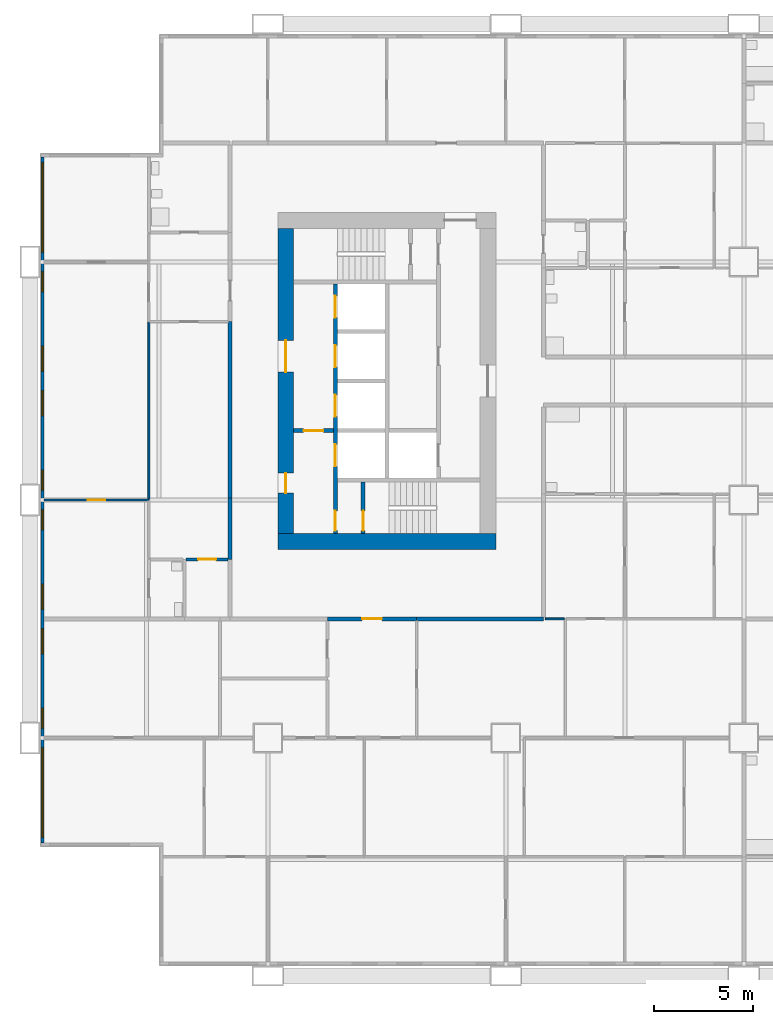
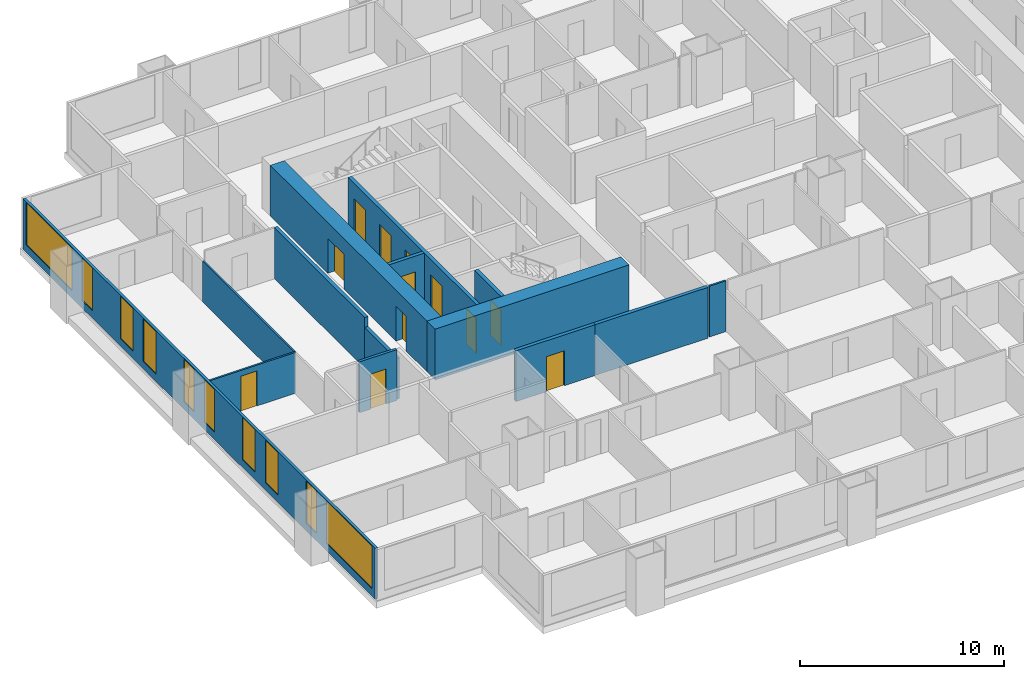
# One storey, part 3 of 14: 14 walls, 12 doors, 10 windows, 22 openings.
"""IFC4 building model written with IfcOpenShell, lengths in metres."""

import ifcopenshell
import ifcopenshell.guid

model = None  # the IFC model being written
_history = None  # IfcOwnerHistory: only IFC2X3 demands one
_inside = {}  # id of a spatial element -> (the spatial element, [elements in it])
_under = {}  # id of a project, library or spatial element -> (it, [spatial elements below it])
_declared = {}  # id of a project -> (the project, [libraries it declares])
_typed = {}  # id of a type object -> (the type object, [elements of that type])
_made_of = {}  # id of a material, layer set ... -> (it, [elements and type objects made of it])


def new_model(schema):
    """Start an empty IFC model of exactly this schema.

    Asked for "IFC4X3", IfcOpenShell would pick the latest addendum, in which some entities
    have other attributes; the version numbers below select the first issue.
    IFC2X3 requires an IfcOwnerHistory on every rooted entity: one is made here for all.
    """
    global model, _history
    if schema == "IFC4X3":
        model = ifcopenshell.file(schema_version=(4, 3, 0, 0))
    else:
        model = ifcopenshell.file(schema=schema)
    _inside.clear()
    _under.clear()
    _declared.clear()
    _typed.clear()
    _made_of.clear()
    _history = None
    if model.schema == "IFC2X3":
        org = make("IfcOrganization", Name="unknown")
        user = make(
            "IfcPersonAndOrganization",
            ThePerson=make("IfcPerson", FamilyName="unknown"),
            TheOrganization=org,
        )
        app = make(
            "IfcApplication",
            ApplicationDeveloper=org,
            Version="unknown",
            ApplicationFullName="unknown",
            ApplicationIdentifier="unknown",
        )
        _history = make(
            "IfcOwnerHistory",
            OwningUser=user,
            OwningApplication=app,
            ChangeAction="ADDED",
            CreationDate=0,
        )
    return model


def make(cls, **values):
    """One entity of the class cls with the attributes given. An attribute that is None is left unset."""
    return model.create_entity(
        cls, **{name: value for name, value in values.items() if value is not None}
    )


def rooted(cls, **values):
    """An entity with a GlobalId (a new one), such as an element, a storey or a relation."""
    return make(cls, GlobalId=ifcopenshell.guid.new(), OwnerHistory=_history, **values)


def si_unit(unit_type, name, prefix=None):
    """IfcSIUnit, for example si_unit("LENGTHUNIT", "METRE", prefix="MILLI")."""
    return make("IfcSIUnit", UnitType=unit_type, Prefix=prefix, Name=name)


def assignment(units):
    """IfcUnitAssignment: the units of a project."""
    return None if units is None else make("IfcUnitAssignment", Units=units)


def point(xyz):
    """IfcCartesianPoint."""
    return None if xyz is None else make("IfcCartesianPoint", Coordinates=xyz)


def direction(xyz):
    """IfcDirection."""
    return None if xyz is None else make("IfcDirection", DirectionRatios=xyz)


def frame(location, z_axis=None, x_axis=None):
    """IfcAxis2Placement3D, a coordinate frame: its origin and axes. An axis left out is left unset."""
    return make(
        "IfcAxis2Placement3D",
        Location=point(location),
        Axis=direction(z_axis),
        RefDirection=direction(x_axis),
    )


def frame_2d(location, x_axis=None):
    """IfcAxis2Placement2D, a coordinate frame in the plane: its origin and x axis."""
    return make(
        "IfcAxis2Placement2D", Location=point(location), RefDirection=direction(x_axis)
    )


def origin():
    """The frame at (0, 0, 0) with its axes left unset."""
    return frame((0.0, 0.0, 0.0))


def place(relative_to, where):
    """IfcLocalPlacement: puts the frame where relative to a parent placement (None: the world)."""
    return make(
        "IfcLocalPlacement", PlacementRelTo=relative_to, RelativePlacement=where
    )


def context(
    kind, dimensions, precision=None, world=None, true_north=None, identifier=None
):
    """IfcGeometricRepresentationContext, for example the 3D "Model" context."""
    return make(
        "IfcGeometricRepresentationContext",
        ContextIdentifier=identifier,
        ContextType=kind,
        CoordinateSpaceDimension=dimensions,
        Precision=precision,
        WorldCoordinateSystem=world,
        TrueNorth=true_north,
    )


def subcontext(parent, identifier, kind, view, scale=None):
    """IfcGeometricRepresentationSubContext, for example "Body" below "Model"."""
    return make(
        "IfcGeometricRepresentationSubContext",
        ContextIdentifier=identifier,
        ContextType=kind,
        ParentContext=parent,
        TargetScale=scale,
        TargetView=view,
    )


def project(units=None, contexts=None):
    """IfcProject with its units and contexts."""
    return rooted(
        "IfcProject",
        Name="project",
        RepresentationContexts=contexts,
        UnitsInContext=assignment(units),
    )


def spatial(cls, under=None, at=None, **own):
    """A site, building, storey or space (cls), placed at a placement, below another one or the project."""
    s = rooted(cls, ObjectPlacement=at, **own)
    if under is not None:
        _under.setdefault(under.id(), (under, []))[1].append(s)
    return s


def profile(cls, at=None, kind="AREA", **sizes):
    """A parametric profile (cls). Its sizes go by their IFC names, for example OverallWidth=200.0."""
    return make(cls, ProfileType=kind, Position=at, **sizes)


def rectangle(**sizes):
    """IfcRectangleProfileDef."""
    return profile("IfcRectangleProfileDef", **sizes)


def extrude(swept, where, along, depth):
    """IfcExtrudedAreaSolid: the profile swept, set in the frame where, extruded along a direction by depth."""
    return make(
        "IfcExtrudedAreaSolid",
        SweptArea=swept,
        Position=where,
        ExtrudedDirection=direction(along),
        Depth=depth,
    )


def shape(context_of_items, identifier, shape_type, items):
    """IfcShapeRepresentation: the items that make up one representation, for example the "Body"."""
    return make(
        "IfcShapeRepresentation",
        ContextOfItems=context_of_items,
        RepresentationIdentifier=identifier,
        RepresentationType=shape_type,
        Items=items,
    )


def material(Name=None, Category=None):
    """IfcMaterial."""
    return make("IfcMaterial", Name=Name, Category=Category)


def layer(
    of_material, thickness, ventilated=None, Name=None, Category=None, Priority=None
):
    """IfcMaterialLayer: one layer of a wall or slab, of a material (None: an air gap)."""
    return make(
        "IfcMaterialLayer",
        Material=of_material,
        LayerThickness=thickness,
        IsVentilated=ventilated,
        Name=Name,
        Category=Category,
        Priority=Priority,
    )


def layer_set(layers, Name=None):
    """IfcMaterialLayerSet."""
    return make("IfcMaterialLayerSet", MaterialLayers=layers, LayerSetName=Name)


def made_of(thing, what):
    """Note that an element or type object is made of a material, layer set ...; save() writes the relation."""
    if what is not None:
        _made_of.setdefault(what.id(), (what, []))[1].append(thing)
    return thing


def type_object(cls, material=None, **own):
    """A type object (cls), such as IfcWallType, which elements share."""
    return made_of(rooted(cls, **own), material)


def element(
    cls,
    number,
    at=None,
    inside=None,
    cuts=None,
    type_object=None,
    material=None,
    context=None,
    identifier="Body",
    shape_type=None,
    held_by="IfcProductDefinitionShape",
    body=None,
    shapes=None,
    **own,
):
    """One element of the class cls, such as IfcWall. Its Tag is "e" and its number.

    at: its placement. inside: the storey or other place that contains it. cuts: it is an
    opening in that element (IfcRelVoidsElement). A single representation is given by context,
    identifier, shape_type and body (its items); several are given by shapes. held_by: the class
    of the entity that holds the representations. save() writes the other relations.
    """
    e = rooted(cls, Tag="e%d" % number, ObjectPlacement=at, **own)
    if body is not None:
        shapes = [shape(context, identifier, shape_type, body)]
    if shapes is not None:
        e.Representation = make(held_by, Representations=shapes)
    if inside is not None:
        _inside.setdefault(inside.id(), (inside, []))[1].append(e)
    if cuts is not None:
        rooted(
            "IfcRelVoidsElement", RelatingBuildingElement=cuts, RelatedOpeningElement=e
        )
    if type_object is not None:
        _typed.setdefault(type_object.id(), (type_object, []))[1].append(e)
    return made_of(e, material)


def fill(opening, filler):
    """IfcRelFillsElement: the door or window that sits in an opening."""
    return rooted(
        "IfcRelFillsElement",
        RelatingOpeningElement=opening,
        RelatedBuildingElement=filler,
    )


def aggregate(whole, parts):
    """IfcRelAggregates: a whole, such as a stair, and the parts it consists of."""
    return rooted("IfcRelAggregates", RelatingObject=whole, RelatedObjects=parts)


def save(model, path):
    """Write the relations noted so far, then the file.

    IfcRelAggregates (storeys below a building ...), IfcRelContainedInSpatialStructure (elements
    in a storey), IfcRelDefinesByType, IfcRelAssociatesMaterial and IfcRelDeclares: one each for
    every whole, place, type object, material and project.
    """
    for whole, parts in _under.values():
        aggregate(whole, parts)
    for where, things in _inside.values():
        rooted(
            "IfcRelContainedInSpatialStructure",
            RelatedElements=things,
            RelatingStructure=where,
        )
    for kind, things in _typed.values():
        rooted("IfcRelDefinesByType", RelatedObjects=things, RelatingType=kind)
    for what, things in _made_of.values():
        rooted("IfcRelAssociatesMaterial", RelatedObjects=things, RelatingMaterial=what)
    for by, libraries in _declared.values():
        rooted("IfcRelDeclares", RelatingContext=by, RelatedDefinitions=libraries)
    model.write(path)


model = new_model("IFC4")

# Units and contexts
model_context = context("Model", 3, precision=1e-05, world=origin(), true_north=direction((0.0, 1.0)))
body_context = subcontext(model_context, "Body", "Model", "MODEL_VIEW")
ifc_project = project(units=[si_unit("LENGTHUNIT", "METRE"), si_unit("AREAUNIT", "SQUARE_METRE"), si_unit("VOLUMEUNIT", "CUBIC_METRE"), si_unit("PLANEANGLEUNIT", "RADIAN"), si_unit("MASSUNIT", "GRAM", prefix="KILO")], contexts=[model_context])

# Site, building, storey
site_placement = place(None, origin())
site = spatial("IfcSite", under=ifc_project, at=site_placement, CompositionType="ELEMENT")
building_placement = place(site_placement, origin())
building = spatial("IfcBuilding", under=site, at=building_placement, Name="Kitamizu Gate Tower and Museum", CompositionType="ELEMENT")
storey_placement = place(building_placement, frame((0.0, 0.0, 85.199951171875)))
storey = spatial("IfcBuildingStorey", under=building, at=storey_placement, Name="L21", CompositionType="ELEMENT", Elevation=85.199951171875)

# Wall
ifc_material_1 = material(Name="Concrete Fc60", Category="concrete")
ifc_layer_1 = layer(ifc_material_1, 0.800048828125)
ifc_layer_set_1 = layer_set([ifc_layer_1], Name="Concrete Fc60")
wall_type_1 = type_object("IfcWallType", Name="Core wall 800", PredefinedType="SHEAR", material=ifc_layer_set_1)
wall_1_placement = place(storey_placement, frame((12.5, 21.89990234375, 0.0), z_axis=(0.0, 0.0, 1.0), x_axis=(1.0, 0.0, 0.0)))
element("IfcWall", 1, at=wall_1_placement, inside=storey, type_object=wall_type_1, Name="Core wall WS", PredefinedType="SHEAR", context=body_context, shape_type="SweptSolid", body=[
    extrude(rectangle(XDim=11.0, YDim=0.800048828125, at=frame_2d((5.5, 0.0))), origin(), (0.0, 0.0, 1.0), 3.050048828125),
])

# Wall, openings, doors
wall_2_placement = place(storey_placement, frame((12.89990234375, 22.300048828125, 0.0), z_axis=(0.0, 0.0, 1.0), x_axis=(0.0, 1.0, 0.0)))
wall_2 = element("IfcWall", 2, at=wall_2_placement, inside=storey, type_object=wall_type_1, Name="Core wall WOUT", PredefinedType="SHEAR", context=body_context, shape_type="SweptSolid", body=[
    extrude(rectangle(XDim=15.39990234375, YDim=0.800048828125, at=frame_2d((7.699951171875, 0.0))), origin(), (0.0, 0.0, 1.0), 3.050048828125),
])
opening_1_placement = place(wall_2_placement, frame((8.14990234375, 0.0, 0.0)))
opening_1 = element("IfcOpeningElement", 3, at=opening_1_placement, cuts=wall_2, Name="Opening L21-081", PredefinedType="OPENING", context=body_context, shape_type="SweptSolid", body=[
    extrude(rectangle(XDim=1.60009765625, YDim=2.10009765625, at=frame_2d((0.800048828125, 1.050048828125))), frame((0.0, 0.41015625, 0.0), z_axis=(0.0, -1.0, 0.0), x_axis=(1.0, 0.0, 0.0)), (0.0, 0.0, 1.0), 0.820068359375),
])
opening_2_placement = place(wall_2_placement, frame((2.050048828125, 0.0, 0.0)))
opening_2 = element("IfcOpeningElement", 4, at=opening_2_placement, cuts=wall_2, Name="Opening L21-082", PredefinedType="OPENING", context=body_context, shape_type="SweptSolid", body=[
    extrude(rectangle(XDim=1.0, YDim=2.10009765625, at=frame_2d((0.5, 1.050048828125))), frame((0.0, 0.41015625, 0.0), z_axis=(0.0, -1.0, 0.0), x_axis=(1.0, 0.0, 0.0)), (0.0, 0.0, 1.0), 0.820068359375),
])
ifc_material_2 = material(Name="Timber door set", Category="wood")
door_type_1 = type_object("IfcDoorType", Name="Entrance door 1600", OperationType="DOUBLE_DOOR_SINGLE_SWING", PredefinedType="DOOR", material=ifc_material_2)
door_1_placement = place(opening_1_placement, origin())
door_1 = element("IfcDoor", 5, at=door_1_placement, inside=storey, type_object=door_type_1, Name="Lobby door L21-081", OperationType="DOUBLE_DOOR_SINGLE_SWING", OverallHeight=2.10009765625, OverallWidth=1.60009765625, PredefinedType="DOOR", context=body_context, shape_type="SweptSolid", body=[
    extrude(rectangle(XDim=1.60009765625, YDim=2.10009765625, at=frame_2d((0.800048828125, 1.050048828125))), frame((0.0, 0.02490234375, 0.0), z_axis=(0.0, -1.0, 0.0), x_axis=(1.0, 0.0, 0.0)), (0.0, 0.0, 1.0), 0.050048828125),
])
fill(opening_1, door_1)
ifc_material_3 = material(Name="Hollow metal door set")
door_type_2 = type_object("IfcDoorType", Name="Fire door 1000", OperationType="NOTDEFINED", PredefinedType="DOOR", material=ifc_material_3)
door_2_placement = place(opening_2_placement, frame((1.0, 0.0, 0.0), x_axis=(-1.0, 0.0, 0.0)))
door_2 = element("IfcDoor", 6, at=door_2_placement, inside=storey, type_object=door_type_2, Name="Fire-fighting lobby door L21-082", OperationType="SINGLE_SWING_RIGHT", OverallHeight=2.10009765625, OverallWidth=1.0, PredefinedType="DOOR", context=body_context, shape_type="SweptSolid", body=[
    extrude(rectangle(XDim=1.0, YDim=2.10009765625, at=frame_2d((0.5, 1.050048828125))), frame((0.0, 0.02490234375, 0.0), z_axis=(0.0, -1.0, 0.0), x_axis=(1.0, 0.0, 0.0)), (0.0, 0.0, 1.0), 0.050048828125),
])
fill(opening_2, door_2)

# Wall
ifc_material_4 = material(Name="Gypsum board on galvanised stud")
ifc_layer_2 = layer(ifc_material_4, 0.10009765625)
ifc_layer_set_2 = layer_set([ifc_layer_2], Name="Gypsum board on galvanised stud")
wall_type_2 = type_object("IfcWallType", Name="Partition 100 NOT RATED", PredefinedType="PARTITIONING", material=ifc_layer_set_2)
wall_3_placement = place(storey_placement, frame((26.949951171875, 18.0, 0.0), z_axis=(0.0, 0.0, 1.0), x_axis=(-1.0, 0.0, 0.0)))
element("IfcWall", 7, at=wall_3_placement, inside=storey, type_object=wall_type_2, Name="Partition L21-041", PredefinedType="PARTITIONING", context=body_context, shape_type="SweptSolid", body=[
    extrude(rectangle(XDim=0.949951171875, YDim=0.10009765625, at=frame_2d((0.47509765625, 0.0))), origin(), (0.0, 0.0, 1.0), 3.050048828125),
])

# Wall, opening, door
wall_4_placement = place(storey_placement, frame((6.0, 24.0, 0.0), z_axis=(0.0, 0.0, 1.0), x_axis=(-1.0, 0.0, 0.0)))
wall_4 = element("IfcWall", 8, at=wall_4_placement, inside=storey, type_object=wall_type_2, Name="Partition L21-063", PredefinedType="PARTITIONING", context=body_context, shape_type="SweptSolid", body=[
    extrude(rectangle(XDim=5.280029296875, YDim=0.10009765625, at=frame_2d((2.64013671875, 0.0))), origin(), (0.0, 0.0, 1.0), 2.449951171875),
])
opening_3_placement = place(wall_4_placement, frame((2.18994140625, 0.0, 0.0)))
opening_3 = element("IfcOpeningElement", 9, at=opening_3_placement, cuts=wall_4, Name="Opening L21-024", PredefinedType="OPENING", context=body_context, shape_type="SweptSolid", body=[
    extrude(rectangle(XDim=0.89990234375, YDim=2.10009765625, at=frame_2d((0.449951171875, 1.050048828125))), frame((0.0, 0.06005859375, 0.0), z_axis=(0.0, -1.0, 0.0), x_axis=(1.0, 0.0, 0.0)), (0.0, 0.0, 1.0), 0.1201171875),
])
ifc_material_5 = material(Name="Timber door set", Category="wood")
door_type_3 = type_object("IfcDoorType", Name="Room door 900", OperationType="NOTDEFINED", PredefinedType="DOOR", material=ifc_material_5)
door_3_placement = place(opening_3_placement, origin())
door_3 = element("IfcDoor", 10, at=door_3_placement, inside=storey, type_object=door_type_3, Name="Door L21-024", OperationType="SINGLE_SWING_RIGHT", OverallHeight=2.10009765625, OverallWidth=0.89990234375, PredefinedType="DOOR", context=body_context, shape_type="SweptSolid", body=[
    extrude(rectangle(XDim=0.89990234375, YDim=2.10009765625, at=frame_2d((0.449951171875, 1.050048828125))), frame((0.0, 0.02490234375, 0.0), z_axis=(0.0, -1.0, 0.0), x_axis=(1.0, 0.0, 0.0)), (0.0, 0.0, 1.0), 0.050048828125),
])
fill(opening_3, door_3)

# Wall
wall_5_placement = place(storey_placement, frame((6.0, 24.050048828125, 0.0), z_axis=(0.0, 0.0, 1.0), x_axis=(0.0, 1.0, 0.0)))
element("IfcWall", 11, at=wall_5_placement, inside=storey, type_object=wall_type_2, Name="Partition L21-067", PredefinedType="PARTITIONING", context=body_context, shape_type="SweptSolid", body=[
    extrude(rectangle(XDim=8.949951171875, YDim=0.10009765625, at=frame_2d((4.47509765625, 0.0))), origin(), (0.0, 0.0, 1.0), 2.449951171875),
])

# Wall, opening, door
ifc_material_6 = material(Name="Gypsum board on galvanised stud")
ifc_layer_3 = layer(ifc_material_6, 0.14990234375)
ifc_layer_set_3 = layer_set([ifc_layer_3], Name="Gypsum board on galvanised stud")
wall_type_3 = type_object("IfcWallType", Name="Partition 150", PredefinedType="PARTITIONING", material=ifc_layer_set_3)
wall_6_placement = place(storey_placement, frame((10.0, 21.0, 0.0), z_axis=(0.0, 0.0, 1.0), x_axis=(-1.0, 0.0, 0.0)))
wall_6 = element("IfcWall", 12, at=wall_6_placement, inside=storey, type_object=wall_type_3, Name="Partition L21-073", PredefinedType="PARTITIONING", context=body_context, shape_type="SweptSolid", body=[
    extrude(rectangle(XDim=2.125, YDim=0.14990234375, at=frame_2d((1.0625, 0.0))), origin(), (0.0, 0.0, 1.0), 3.050048828125),
])
opening_4_placement = place(wall_6_placement, frame((0.612548828125, 0.0, 0.0)))
opening_4 = element("IfcOpeningElement", 13, at=opening_4_placement, cuts=wall_6, Name="Opening L21-028", PredefinedType="OPENING", context=body_context, shape_type="SweptSolid", body=[
    extrude(rectangle(XDim=0.89990234375, YDim=2.10009765625, at=frame_2d((0.449951171875, 1.050048828125))), frame((0.0, 0.0849609375, 0.0), z_axis=(0.0, -1.0, 0.0), x_axis=(1.0, 0.0, 0.0)), (0.0, 0.0, 1.0), 0.169921875),
])
ifc_material_7 = material(Name="Timber door set", Category="wood")
door_type_4 = type_object("IfcDoorType", Name="Bathroom door 900", OperationType="NOTDEFINED", PredefinedType="DOOR", material=ifc_material_7)
door_4_placement = place(opening_4_placement, origin())
door_4 = element("IfcDoor", 14, at=door_4_placement, inside=storey, type_object=door_type_4, Name="Bathroom door L21-028", OperationType="SINGLE_SWING_RIGHT", OverallHeight=2.10009765625, OverallWidth=0.89990234375, PredefinedType="DOOR", context=body_context, shape_type="SweptSolid", body=[
    extrude(rectangle(XDim=0.89990234375, YDim=2.10009765625, at=frame_2d((0.449951171875, 1.050048828125))), frame((0.0, 0.02490234375, 0.0), z_axis=(0.0, -1.0, 0.0), x_axis=(1.0, 0.0, 0.0)), (0.0, 0.0, 1.0), 0.050048828125),
])
fill(opening_4, door_4)

ifc_material_8 = material(Name="Gypsum board on galvanised stud")
ifc_layer_4 = layer(ifc_material_8, 0.199951171875)
ifc_layer_set_4 = layer_set([ifc_layer_4], Name="Gypsum board on galvanised stud")
wall_type_4 = type_object("IfcWallType", Name="Partition 200", PredefinedType="PARTITIONING", material=ifc_layer_set_4)
wall_7_placement = place(storey_placement, frame((19.5, 18.0, 0.0), z_axis=(0.0, 0.0, 1.0), x_axis=(-1.0, 0.0, 0.0)))
wall_7 = element("IfcWall", 15, at=wall_7_placement, inside=storey, type_object=wall_type_4, Name="Partition L21-039", PredefinedType="PARTITIONING", context=body_context, shape_type="SweptSolid", body=[
    extrude(rectangle(XDim=4.5, YDim=0.199951171875, at=frame_2d((2.25, 0.0))), origin(), (0.0, 0.0, 1.0), 3.050048828125),
])
opening_5_placement = place(wall_7_placement, frame((1.75, 0.0, 0.0)))
opening_5 = element("IfcOpeningElement", 16, at=opening_5_placement, cuts=wall_7, Name="Opening L21-001", PredefinedType="OPENING", context=body_context, shape_type="SweptSolid", body=[
    extrude(rectangle(XDim=1.0, YDim=2.10009765625, at=frame_2d((0.5, 1.050048828125))), frame((0.0, 0.10986328125, 0.0), z_axis=(0.0, -1.0, 0.0), x_axis=(1.0, 0.0, 0.0)), (0.0, 0.0, 1.0), 0.219970703125),
])
ifc_material_9 = material(Name="Timber door set", Category="wood")
door_type_5 = type_object("IfcDoorType", Name="Flat entrance door 1000", OperationType="NOTDEFINED", PredefinedType="DOOR", material=ifc_material_9)
door_5_placement = place(opening_5_placement, origin())
door_5 = element("IfcDoor", 17, at=door_5_placement, inside=storey, type_object=door_type_5, Name="Flat entrance door L21-001", OperationType="SINGLE_SWING_RIGHT", OverallHeight=2.10009765625, OverallWidth=1.0, PredefinedType="DOOR", context=body_context, shape_type="SweptSolid", body=[
    extrude(rectangle(XDim=1.0, YDim=2.10009765625, at=frame_2d((0.5, 1.050048828125))), frame((0.0, 0.02490234375, 0.0), z_axis=(0.0, -1.0, 0.0), x_axis=(1.0, 0.0, 0.0)), (0.0, 0.0, 1.0), 0.050048828125),
])
fill(opening_5, door_5)

# Walls
wall_8_placement = place(storey_placement, frame((25.89990234375, 18.0, 0.0), z_axis=(0.0, 0.0, 1.0), x_axis=(-1.0, 0.0, 0.0)))
element("IfcWall", 18, at=wall_8_placement, inside=storey, type_object=wall_type_4, Name="Partition L21-042", PredefinedType="PARTITIONING", context=body_context, shape_type="SweptSolid", body=[
    extrude(rectangle(XDim=6.39990234375, YDim=0.199951171875, at=frame_2d((3.199951171875, 0.0))), origin(), (0.0, 0.0, 1.0), 3.050048828125),
])
wall_9_placement = place(storey_placement, frame((10.10009765625, 21.0, 0.0), z_axis=(0.0, 0.0, 1.0), x_axis=(0.0, 1.0, 0.0)))
element("IfcWall", 19, at=wall_9_placement, inside=storey, type_object=wall_type_4, Name="Partition L21-076", PredefinedType="PARTITIONING", context=body_context, shape_type="SweptSolid", body=[
    extrude(rectangle(XDim=3.10009765625, YDim=0.199951171875, at=frame_2d((1.550048828125, 0.0))), origin(), (0.0, 0.0, 1.0), 2.449951171875),
])
wall_10_placement = place(storey_placement, frame((10.10009765625, 24.10009765625, 0.0), z_axis=(0.0, 0.0, 1.0), x_axis=(0.0, 1.0, 0.0)))
element("IfcWall", 20, at=wall_10_placement, inside=storey, type_object=wall_type_4, Name="Partition L21-077", PredefinedType="PARTITIONING", context=body_context, shape_type="SweptSolid", body=[
    extrude(rectangle(XDim=8.89990234375, YDim=0.199951171875, at=frame_2d((4.449951171875, 0.0))), origin(), (0.0, 0.0, 1.0), 3.050048828125),
])

# Wall, openings, doors
ifc_material_10 = material(Name="Concrete Fc42", Category="concrete")
ifc_layer_5 = layer(ifc_material_10, 0.199951171875)
ifc_layer_set_5 = layer_set([ifc_layer_5], Name="Concrete Fc42")
wall_type_5 = type_object("IfcWallType", Name="Shaft wall 200", PredefinedType="SOLIDWALL", material=ifc_layer_set_5)
wall_11_placement = place(storey_placement, frame((15.39990234375, 22.300048828125, 0.0), z_axis=(0.0, 0.0, 1.0), x_axis=(0.0, 1.0, 0.0)))
wall_11 = element("IfcWall", 21, at=wall_11_placement, inside=storey, type_object=wall_type_5, Name="Shaft wall WWEST", PredefinedType="SOLIDWALL", context=body_context, shape_type="SweptSolid", body=[
    extrude(rectangle(XDim=12.599853515625, YDim=0.199951171875, at=frame_2d((6.2998046875, 0.0))), origin(), (0.0, 0.0, 1.0), 3.050048828125),
])
opening_6_placement = place(wall_11_placement, frame((3.39990234375, 0.0, 0.0)))
opening_6 = element("IfcOpeningElement", 22, at=opening_6_placement, cuts=wall_11, Name="Opening LD", PredefinedType="OPENING", context=body_context, shape_type="SweptSolid", body=[
    extrude(rectangle(XDim=1.10009765625, YDim=2.10009765625, at=frame_2d((0.550048828125, 1.050048828125))), frame((0.0, 0.10986328125, 0.0), z_axis=(0.0, -1.0, 0.0), x_axis=(1.0, 0.0, 0.0)), (0.0, 0.0, 1.0), 0.219970703125),
])
opening_7_placement = place(wall_11_placement, frame((5.89990234375, 0.0, 0.0)))
opening_7 = element("IfcOpeningElement", 23, at=opening_7_placement, cuts=wall_11, Name="Opening LD", PredefinedType="OPENING", context=body_context, shape_type="SweptSolid", body=[
    extrude(rectangle(XDim=1.10009765625, YDim=2.10009765625, at=frame_2d((0.550048828125, 1.050048828125))), frame((0.0, 0.10986328125, 0.0), z_axis=(0.0, -1.0, 0.0), x_axis=(1.0, 0.0, 0.0)), (0.0, 0.0, 1.0), 0.219970703125),
])
opening_8_placement = place(wall_11_placement, frame((8.39990234375, 0.0, 0.0)))
opening_8 = element("IfcOpeningElement", 24, at=opening_8_placement, cuts=wall_11, Name="Opening LD", PredefinedType="OPENING", context=body_context, shape_type="SweptSolid", body=[
    extrude(rectangle(XDim=1.10009765625, YDim=2.10009765625, at=frame_2d((0.550048828125, 1.050048828125))), frame((0.0, 0.10986328125, 0.0), z_axis=(0.0, -1.0, 0.0), x_axis=(1.0, 0.0, 0.0)), (0.0, 0.0, 1.0), 0.219970703125),
])
opening_9_placement = place(wall_11_placement, frame((10.89990234375, 0.0, 0.0)))
opening_9 = element("IfcOpeningElement", 25, at=opening_9_placement, cuts=wall_11, Name="Opening LD", PredefinedType="OPENING", context=body_context, shape_type="SweptSolid", body=[
    extrude(rectangle(XDim=1.10009765625, YDim=2.10009765625, at=frame_2d((0.550048828125, 1.050048828125))), frame((0.0, 0.10986328125, 0.0), z_axis=(0.0, -1.0, 0.0), x_axis=(1.0, 0.0, 0.0)), (0.0, 0.0, 1.0), 0.219970703125),
])
opening_10_placement = place(wall_11_placement, frame((0.14990234375, 0.0, 0.0)))
opening_10 = element("IfcOpeningElement", 26, at=opening_10_placement, cuts=wall_11, Name="Opening L21-077", PredefinedType="OPENING", context=body_context, shape_type="SweptSolid", body=[
    extrude(rectangle(XDim=1.0, YDim=2.10009765625, at=frame_2d((0.5, 1.050048828125))), frame((0.0, 0.10986328125, 0.0), z_axis=(0.0, -1.0, 0.0), x_axis=(1.0, 0.0, 0.0)), (0.0, 0.0, 1.0), 0.219970703125),
])
door_6_placement = place(opening_10_placement, frame((1.0, 0.0, 0.0), x_axis=(-1.0, 0.0, 0.0)))
door_6 = element("IfcDoor", 27, at=door_6_placement, inside=storey, type_object=door_type_2, Name="Stair lobby door L21-077", OperationType="SINGLE_SWING_LEFT", OverallHeight=2.10009765625, OverallWidth=1.0, PredefinedType="DOOR", context=body_context, shape_type="SweptSolid", body=[
    extrude(rectangle(XDim=1.0, YDim=2.10009765625, at=frame_2d((0.5, 1.050048828125))), frame((0.0, 0.02490234375, 0.0), z_axis=(0.0, -1.0, 0.0), x_axis=(1.0, 0.0, 0.0)), (0.0, 0.0, 1.0), 0.050048828125),
])
fill(opening_10, door_6)
ifc_material_11 = material(Name="Hollow metal door set")
door_type_6 = type_object("IfcDoorType", Name="Landing door 1100", OperationType="SLIDING_TO_LEFT", PredefinedType="DOOR", material=ifc_material_11)
door_7_placement = place(opening_6_placement, origin())
door_7 = element("IfcDoor", 28, at=door_7_placement, inside=storey, type_object=door_type_6, Name="Landing door WFF1", OperationType="SLIDING_TO_LEFT", OverallHeight=2.10009765625, OverallWidth=1.10009765625, PredefinedType="DOOR", context=body_context, shape_type="SweptSolid", body=[
    extrude(rectangle(XDim=1.10009765625, YDim=2.10009765625, at=frame_2d((0.550048828125, 1.050048828125))), frame((0.0, 0.02490234375, 0.0), z_axis=(0.0, -1.0, 0.0), x_axis=(1.0, 0.0, 0.0)), (0.0, 0.0, 1.0), 0.050048828125),
])
fill(opening_6, door_7)
door_8_placement = place(opening_7_placement, origin())
door_8 = element("IfcDoor", 29, at=door_8_placement, inside=storey, type_object=door_type_6, Name="Landing door WL1", OperationType="SLIDING_TO_LEFT", OverallHeight=2.10009765625, OverallWidth=1.10009765625, PredefinedType="DOOR", context=body_context, shape_type="SweptSolid", body=[
    extrude(rectangle(XDim=1.10009765625, YDim=2.10009765625, at=frame_2d((0.550048828125, 1.050048828125))), frame((0.0, 0.02490234375, 0.0), z_axis=(0.0, -1.0, 0.0), x_axis=(1.0, 0.0, 0.0)), (0.0, 0.0, 1.0), 0.050048828125),
])
fill(opening_7, door_8)
door_9_placement = place(opening_8_placement, origin())
door_9 = element("IfcDoor", 30, at=door_9_placement, inside=storey, type_object=door_type_6, Name="Landing door WL2", OperationType="SLIDING_TO_LEFT", OverallHeight=2.10009765625, OverallWidth=1.10009765625, PredefinedType="DOOR", context=body_context, shape_type="SweptSolid", body=[
    extrude(rectangle(XDim=1.10009765625, YDim=2.10009765625, at=frame_2d((0.550048828125, 1.050048828125))), frame((0.0, 0.02490234375, 0.0), z_axis=(0.0, -1.0, 0.0), x_axis=(1.0, 0.0, 0.0)), (0.0, 0.0, 1.0), 0.050048828125),
])
fill(opening_8, door_9)
door_10_placement = place(opening_9_placement, origin())
door_10 = element("IfcDoor", 31, at=door_10_placement, inside=storey, type_object=door_type_6, Name="Landing door WL3", OperationType="SLIDING_TO_LEFT", OverallHeight=2.10009765625, OverallWidth=1.10009765625, PredefinedType="DOOR", context=body_context, shape_type="SweptSolid", body=[
    extrude(rectangle(XDim=1.10009765625, YDim=2.10009765625, at=frame_2d((0.550048828125, 1.050048828125))), frame((0.0, 0.02490234375, 0.0), z_axis=(0.0, -1.0, 0.0), x_axis=(1.0, 0.0, 0.0)), (0.0, 0.0, 1.0), 0.050048828125),
])
fill(opening_9, door_10)

# Wall, opening, door
wall_12_placement = place(storey_placement, frame((13.300048828125, 27.5, 0.0), z_axis=(0.0, 0.0, 1.0), x_axis=(1.0, 0.0, 0.0)))
wall_12 = element("IfcWall", 32, at=wall_12_placement, inside=storey, type_object=wall_type_5, Name="Shaft wall WFFN", PredefinedType="SOLIDWALL", context=body_context, shape_type="SweptSolid", body=[
    extrude(rectangle(XDim=2.0, YDim=0.199951171875, at=frame_2d((1.0, 0.0))), origin(), (0.0, 0.0, 1.0), 3.050048828125),
])
opening_11_placement = place(wall_12_placement, frame((0.5, 0.0, 0.0)))
opening_11 = element("IfcOpeningElement", 33, at=opening_11_placement, cuts=wall_12, Name="Opening L21-080", PredefinedType="OPENING", context=body_context, shape_type="SweptSolid", body=[
    extrude(rectangle(XDim=1.0, YDim=2.10009765625, at=frame_2d((0.5, 1.050048828125))), frame((0.0, 0.10986328125, 0.0), z_axis=(0.0, -1.0, 0.0), x_axis=(1.0, 0.0, 0.0)), (0.0, 0.0, 1.0), 0.219970703125),
])
door_11_placement = place(opening_11_placement, frame((1.0, 0.0, 0.0), x_axis=(-1.0, 0.0, 0.0)))
door_11 = element("IfcDoor", 34, at=door_11_placement, inside=storey, type_object=door_type_2, Name="Fire-fighting lobby door L21-080", OperationType="SINGLE_SWING_LEFT", OverallHeight=2.10009765625, OverallWidth=1.0, PredefinedType="DOOR", context=body_context, shape_type="SweptSolid", body=[
    extrude(rectangle(XDim=1.0, YDim=2.10009765625, at=frame_2d((0.5, 1.050048828125))), frame((0.0, 0.02490234375, 0.0), z_axis=(0.0, -1.0, 0.0), x_axis=(1.0, 0.0, 0.0)), (0.0, 0.0, 1.0), 0.050048828125),
])
fill(opening_11, door_11)

wall_13_placement = place(storey_placement, frame((16.800048828125, 22.300048828125, 0.0), z_axis=(0.0, 0.0, 1.0), x_axis=(0.0, 1.0, 0.0)))
wall_13 = element("IfcWall", 35, at=wall_13_placement, inside=storey, type_object=wall_type_5, Name="Shaft wall WSZ", PredefinedType="SOLIDWALL", context=body_context, shape_type="SweptSolid", body=[
    extrude(rectangle(XDim=2.599853515625, YDim=0.199951171875, at=frame_2d((1.2998046875, 0.0))), origin(), (0.0, 0.0, 1.0), 3.050048828125),
])
opening_12_placement = place(wall_13_placement, frame((0.14990234375, 0.0, 0.0)))
opening_12 = element("IfcOpeningElement", 36, at=opening_12_placement, cuts=wall_13, Name="Opening L21-076", PredefinedType="OPENING", context=body_context, shape_type="SweptSolid", body=[
    extrude(rectangle(XDim=1.0, YDim=2.10009765625, at=frame_2d((0.5, 1.050048828125))), frame((0.0, 0.10986328125, 0.0), z_axis=(0.0, -1.0, 0.0), x_axis=(1.0, 0.0, 0.0)), (0.0, 0.0, 1.0), 0.219970703125),
])
door_12_placement = place(opening_12_placement, frame((1.0, 0.0, 0.0), x_axis=(-1.0, 0.0, 0.0)))
door_12 = element("IfcDoor", 37, at=door_12_placement, inside=storey, type_object=door_type_2, Name="Stair door L21-076", OperationType="SINGLE_SWING_LEFT", OverallHeight=2.10009765625, OverallWidth=1.0, PredefinedType="DOOR", context=body_context, shape_type="SweptSolid", body=[
    extrude(rectangle(XDim=1.0, YDim=2.10009765625, at=frame_2d((0.5, 1.050048828125))), frame((0.0, 0.02490234375, 0.0), z_axis=(0.0, -1.0, 0.0), x_axis=(1.0, 0.0, 0.0)), (0.0, 0.0, 1.0), 0.050048828125),
])
fill(opening_12, door_12)

# Wall, openings, windows
ifc_material_12 = material(Name="Bronze anodised aluminium frame with insulated spandrel and tinted glass", Category="aluminium")
ifc_layer_6 = layer(ifc_material_12, 0.14990234375)
ifc_layer_set_6 = layer_set([ifc_layer_6], Name="Bronze anodised aluminium frame with insulated spandrel and tinted glass")
wall_type_6 = type_object("IfcWallType", Name="WINDOW WALL 150 BRONZE FRAME EI 30", PredefinedType="ELEMENTEDWALL", material=ifc_layer_set_6)
wall_14_placement = place(storey_placement, frame((0.635009765625, 6.7099609375, 0.0), z_axis=(0.0, 0.0, 1.0), x_axis=(0.0, 1.0, 0.0)))
wall_14 = element("IfcWall", 38, at=wall_14_placement, inside=storey, type_object=wall_type_6, Name="Window wall west L21", PredefinedType="ELEMENTEDWALL", context=body_context, shape_type="SweptSolid", body=[
    extrude(rectangle(XDim=34.580078125, YDim=0.14990234375, at=frame_2d((17.2900390625, 0.0))), origin(), (0.0, 0.0, 1.0), 3.050048828125),
])
opening_13_placement = place(wall_14_placement, frame((0.2900390625, 0.0, 0.449951171875)))
opening_13 = element("IfcOpeningElement", 39, at=opening_13_placement, cuts=wall_14, Name="Opening W15", PredefinedType="OPENING", context=body_context, shape_type="SweptSolid", body=[
    extrude(rectangle(XDim=4.5, YDim=2.550048828125, at=frame_2d((2.25, 1.27490234375))), frame((0.0, 0.0849609375, 0.0), z_axis=(0.0, -1.0, 0.0), x_axis=(1.0, 0.0, 0.0)), (0.0, 0.0, 1.0), 0.169921875),
])
opening_14_placement = place(wall_14_placement, frame((5.7900390625, 0.0, 0.449951171875)))
opening_14 = element("IfcOpeningElement", 40, at=opening_14_placement, cuts=wall_14, Name="Opening W26", PredefinedType="OPENING", context=body_context, shape_type="SweptSolid", body=[
    extrude(rectangle(XDim=1.0, YDim=2.550048828125, at=frame_2d((0.5, 1.27490234375))), frame((0.0, 0.0849609375, 0.0), z_axis=(0.0, -1.0, 0.0), x_axis=(1.0, 0.0, 0.0)), (0.0, 0.0, 1.0), 0.169921875),
])
opening_15_placement = place(wall_14_placement, frame((9.5400390625, 0.0, 0.449951171875)))
opening_15 = element("IfcOpeningElement", 41, at=opening_15_placement, cuts=wall_14, Name="Opening W27", PredefinedType="OPENING", context=body_context, shape_type="SweptSolid", body=[
    extrude(rectangle(XDim=1.25, YDim=2.550048828125, at=frame_2d((0.625, 1.27490234375))), frame((0.0, 0.0849609375, 0.0), z_axis=(0.0, -1.0, 0.0), x_axis=(1.0, 0.0, 0.0)), (0.0, 0.0, 1.0), 0.169921875),
])
opening_16_placement = place(wall_14_placement, frame((11.7900390625, 0.0, 0.449951171875)))
opening_16 = element("IfcOpeningElement", 42, at=opening_16_placement, cuts=wall_14, Name="Opening W27", PredefinedType="OPENING", context=body_context, shape_type="SweptSolid", body=[
    extrude(rectangle(XDim=1.25, YDim=2.550048828125, at=frame_2d((0.625, 1.27490234375))), frame((0.0, 0.0849609375, 0.0), z_axis=(0.0, -1.0, 0.0), x_axis=(1.0, 0.0, 0.0)), (0.0, 0.0, 1.0), 0.169921875),
])
opening_17_placement = place(wall_14_placement, frame((15.7900390625, 0.0, 0.449951171875)))
opening_17 = element("IfcOpeningElement", 43, at=opening_17_placement, cuts=wall_14, Name="Opening W26", PredefinedType="OPENING", context=body_context, shape_type="SweptSolid", body=[
    extrude(rectangle(XDim=1.0, YDim=2.550048828125, at=frame_2d((0.5, 1.27490234375))), frame((0.0, 0.0849609375, 0.0), z_axis=(0.0, -1.0, 0.0), x_axis=(1.0, 0.0, 0.0)), (0.0, 0.0, 1.0), 0.169921875),
])
opening_18_placement = place(wall_14_placement, frame((17.7900390625, 0.0, 0.449951171875)))
opening_18 = element("IfcOpeningElement", 44, at=opening_18_placement, cuts=wall_14, Name="Opening W26", PredefinedType="OPENING", context=body_context, shape_type="SweptSolid", body=[
    extrude(rectangle(XDim=1.0, YDim=2.550048828125, at=frame_2d((0.5, 1.27490234375))), frame((0.0, 0.0849609375, 0.0), z_axis=(0.0, -1.0, 0.0), x_axis=(1.0, 0.0, 0.0)), (0.0, 0.0, 1.0), 0.169921875),
])
opening_19_placement = place(wall_14_placement, frame((21.5400390625, 0.0, 0.449951171875)))
opening_19 = element("IfcOpeningElement", 45, at=opening_19_placement, cuts=wall_14, Name="Opening W27", PredefinedType="OPENING", context=body_context, shape_type="SweptSolid", body=[
    extrude(rectangle(XDim=1.25, YDim=2.550048828125, at=frame_2d((0.625, 1.27490234375))), frame((0.0, 0.0849609375, 0.0), z_axis=(0.0, -1.0, 0.0), x_axis=(1.0, 0.0, 0.0)), (0.0, 0.0, 1.0), 0.169921875),
])
opening_20_placement = place(wall_14_placement, frame((23.7900390625, 0.0, 0.449951171875)))
opening_20 = element("IfcOpeningElement", 46, at=opening_20_placement, cuts=wall_14, Name="Opening W27", PredefinedType="OPENING", context=body_context, shape_type="SweptSolid", body=[
    extrude(rectangle(XDim=1.25, YDim=2.550048828125, at=frame_2d((0.625, 1.27490234375))), frame((0.0, 0.0849609375, 0.0), z_axis=(0.0, -1.0, 0.0), x_axis=(1.0, 0.0, 0.0)), (0.0, 0.0, 1.0), 0.169921875),
])
opening_21_placement = place(wall_14_placement, frame((27.7900390625, 0.0, 0.449951171875)))
opening_21 = element("IfcOpeningElement", 47, at=opening_21_placement, cuts=wall_14, Name="Opening W26", PredefinedType="OPENING", context=body_context, shape_type="SweptSolid", body=[
    extrude(rectangle(XDim=1.0, YDim=2.550048828125, at=frame_2d((0.5, 1.27490234375))), frame((0.0, 0.0849609375, 0.0), z_axis=(0.0, -1.0, 0.0), x_axis=(1.0, 0.0, 0.0)), (0.0, 0.0, 1.0), 0.169921875),
])
opening_22_placement = place(wall_14_placement, frame((29.7900390625, 0.0, 0.449951171875)))
opening_22 = element("IfcOpeningElement", 48, at=opening_22_placement, cuts=wall_14, Name="Opening W15", PredefinedType="OPENING", context=body_context, shape_type="SweptSolid", body=[
    extrude(rectangle(XDim=4.5, YDim=2.550048828125, at=frame_2d((2.25, 1.27490234375))), frame((0.0, 0.0849609375, 0.0), z_axis=(0.0, -1.0, 0.0), x_axis=(1.0, 0.0, 0.0)), (0.0, 0.0, 1.0), 0.169921875),
])
ifc_material_13 = material(Name="Bronze anodised aluminium frame, tinted triple glazing", Category="aluminium")
window_type_1 = type_object("IfcWindowType", Name="WINDOW 1000 x 2550 SILL 450", PartitioningType="SINGLE_PANEL", PredefinedType="WINDOW", material=ifc_material_13)
window_1_placement = place(opening_14_placement, origin())
window_1 = element("IfcWindow", 49, at=window_1_placement, inside=storey, type_object=window_type_1, Name="Window W26 L21", OverallHeight=2.550048828125, OverallWidth=1.0, PartitioningType="SINGLE_PANEL", PredefinedType="WINDOW", context=body_context, shape_type="SweptSolid", body=[
    extrude(rectangle(XDim=1.0, YDim=2.550048828125, at=frame_2d((0.5, 1.27490234375))), frame((0.0, 0.030029296875, 0.0), z_axis=(0.0, -1.0, 0.0), x_axis=(1.0, 0.0, 0.0)), (0.0, 0.0, 1.0), 0.06005859375),
])
fill(opening_14, window_1)
window_2_placement = place(opening_17_placement, origin())
window_2 = element("IfcWindow", 50, at=window_2_placement, inside=storey, type_object=window_type_1, Name="Window W26 L21", OverallHeight=2.550048828125, OverallWidth=1.0, PartitioningType="SINGLE_PANEL", PredefinedType="WINDOW", context=body_context, shape_type="SweptSolid", body=[
    extrude(rectangle(XDim=1.0, YDim=2.550048828125, at=frame_2d((0.5, 1.27490234375))), frame((0.0, 0.030029296875, 0.0), z_axis=(0.0, -1.0, 0.0), x_axis=(1.0, 0.0, 0.0)), (0.0, 0.0, 1.0), 0.06005859375),
])
fill(opening_17, window_2)
window_3_placement = place(opening_18_placement, origin())
window_3 = element("IfcWindow", 51, at=window_3_placement, inside=storey, type_object=window_type_1, Name="Window W26 L21", OverallHeight=2.550048828125, OverallWidth=1.0, PartitioningType="SINGLE_PANEL", PredefinedType="WINDOW", context=body_context, shape_type="SweptSolid", body=[
    extrude(rectangle(XDim=1.0, YDim=2.550048828125, at=frame_2d((0.5, 1.27490234375))), frame((0.0, 0.030029296875, 0.0), z_axis=(0.0, -1.0, 0.0), x_axis=(1.0, 0.0, 0.0)), (0.0, 0.0, 1.0), 0.06005859375),
])
fill(opening_18, window_3)
window_4_placement = place(opening_21_placement, origin())
window_4 = element("IfcWindow", 52, at=window_4_placement, inside=storey, type_object=window_type_1, Name="Window W26 L21", OverallHeight=2.550048828125, OverallWidth=1.0, PartitioningType="SINGLE_PANEL", PredefinedType="WINDOW", context=body_context, shape_type="SweptSolid", body=[
    extrude(rectangle(XDim=1.0, YDim=2.550048828125, at=frame_2d((0.5, 1.27490234375))), frame((0.0, 0.030029296875, 0.0), z_axis=(0.0, -1.0, 0.0), x_axis=(1.0, 0.0, 0.0)), (0.0, 0.0, 1.0), 0.06005859375),
])
fill(opening_21, window_4)
ifc_material_14 = material(Name="Bronze anodised aluminium frame, tinted triple glazing", Category="aluminium")
window_type_2 = type_object("IfcWindowType", Name="WINDOW 1250 x 2550 SILL 450", PartitioningType="SINGLE_PANEL", PredefinedType="WINDOW", material=ifc_material_14)
window_5_placement = place(opening_15_placement, origin())
window_5 = element("IfcWindow", 53, at=window_5_placement, inside=storey, type_object=window_type_2, Name="Window W27 L21", OverallHeight=2.550048828125, OverallWidth=1.25, PartitioningType="SINGLE_PANEL", PredefinedType="WINDOW", context=body_context, shape_type="SweptSolid", body=[
    extrude(rectangle(XDim=1.25, YDim=2.550048828125, at=frame_2d((0.625, 1.27490234375))), frame((0.0, 0.030029296875, 0.0), z_axis=(0.0, -1.0, 0.0), x_axis=(1.0, 0.0, 0.0)), (0.0, 0.0, 1.0), 0.06005859375),
])
fill(opening_15, window_5)
window_6_placement = place(opening_16_placement, origin())
window_6 = element("IfcWindow", 54, at=window_6_placement, inside=storey, type_object=window_type_2, Name="Window W27 L21", OverallHeight=2.550048828125, OverallWidth=1.25, PartitioningType="SINGLE_PANEL", PredefinedType="WINDOW", context=body_context, shape_type="SweptSolid", body=[
    extrude(rectangle(XDim=1.25, YDim=2.550048828125, at=frame_2d((0.625, 1.27490234375))), frame((0.0, 0.030029296875, 0.0), z_axis=(0.0, -1.0, 0.0), x_axis=(1.0, 0.0, 0.0)), (0.0, 0.0, 1.0), 0.06005859375),
])
fill(opening_16, window_6)
window_7_placement = place(opening_19_placement, origin())
window_7 = element("IfcWindow", 55, at=window_7_placement, inside=storey, type_object=window_type_2, Name="Window W27 L21", OverallHeight=2.550048828125, OverallWidth=1.25, PartitioningType="SINGLE_PANEL", PredefinedType="WINDOW", context=body_context, shape_type="SweptSolid", body=[
    extrude(rectangle(XDim=1.25, YDim=2.550048828125, at=frame_2d((0.625, 1.27490234375))), frame((0.0, 0.030029296875, 0.0), z_axis=(0.0, -1.0, 0.0), x_axis=(1.0, 0.0, 0.0)), (0.0, 0.0, 1.0), 0.06005859375),
])
fill(opening_19, window_7)
window_8_placement = place(opening_20_placement, origin())
window_8 = element("IfcWindow", 56, at=window_8_placement, inside=storey, type_object=window_type_2, Name="Window W27 L21", OverallHeight=2.550048828125, OverallWidth=1.25, PartitioningType="SINGLE_PANEL", PredefinedType="WINDOW", context=body_context, shape_type="SweptSolid", body=[
    extrude(rectangle(XDim=1.25, YDim=2.550048828125, at=frame_2d((0.625, 1.27490234375))), frame((0.0, 0.030029296875, 0.0), z_axis=(0.0, -1.0, 0.0), x_axis=(1.0, 0.0, 0.0)), (0.0, 0.0, 1.0), 0.06005859375),
])
fill(opening_20, window_8)
ifc_material_15 = material(Name="Bronze anodised aluminium frame, tinted triple glazing", Category="aluminium")
window_type_3 = type_object("IfcWindowType", Name="WINDOW 4500 x 2550 SILL 450", PartitioningType="SINGLE_PANEL", PredefinedType="WINDOW", material=ifc_material_15)
window_9_placement = place(opening_13_placement, origin())
window_9 = element("IfcWindow", 57, at=window_9_placement, inside=storey, type_object=window_type_3, Name="Window W15 L21", OverallHeight=2.550048828125, OverallWidth=4.5, PartitioningType="SINGLE_PANEL", PredefinedType="WINDOW", context=body_context, shape_type="SweptSolid", body=[
    extrude(rectangle(XDim=4.5, YDim=2.550048828125, at=frame_2d((2.25, 1.27490234375))), frame((0.0, 0.030029296875, 0.0), z_axis=(0.0, -1.0, 0.0), x_axis=(1.0, 0.0, 0.0)), (0.0, 0.0, 1.0), 0.06005859375),
])
fill(opening_13, window_9)
window_10_placement = place(opening_22_placement, origin())
window_10 = element("IfcWindow", 58, at=window_10_placement, inside=storey, type_object=window_type_3, Name="Window W15 L21", OverallHeight=2.550048828125, OverallWidth=4.5, PartitioningType="SINGLE_PANEL", PredefinedType="WINDOW", context=body_context, shape_type="SweptSolid", body=[
    extrude(rectangle(XDim=4.5, YDim=2.550048828125, at=frame_2d((2.25, 1.27490234375))), frame((0.0, 0.030029296875, 0.0), z_axis=(0.0, -1.0, 0.0), x_axis=(1.0, 0.0, 0.0)), (0.0, 0.0, 1.0), 0.06005859375),
])
fill(opening_22, window_10)

save(model, "model.ifc")
